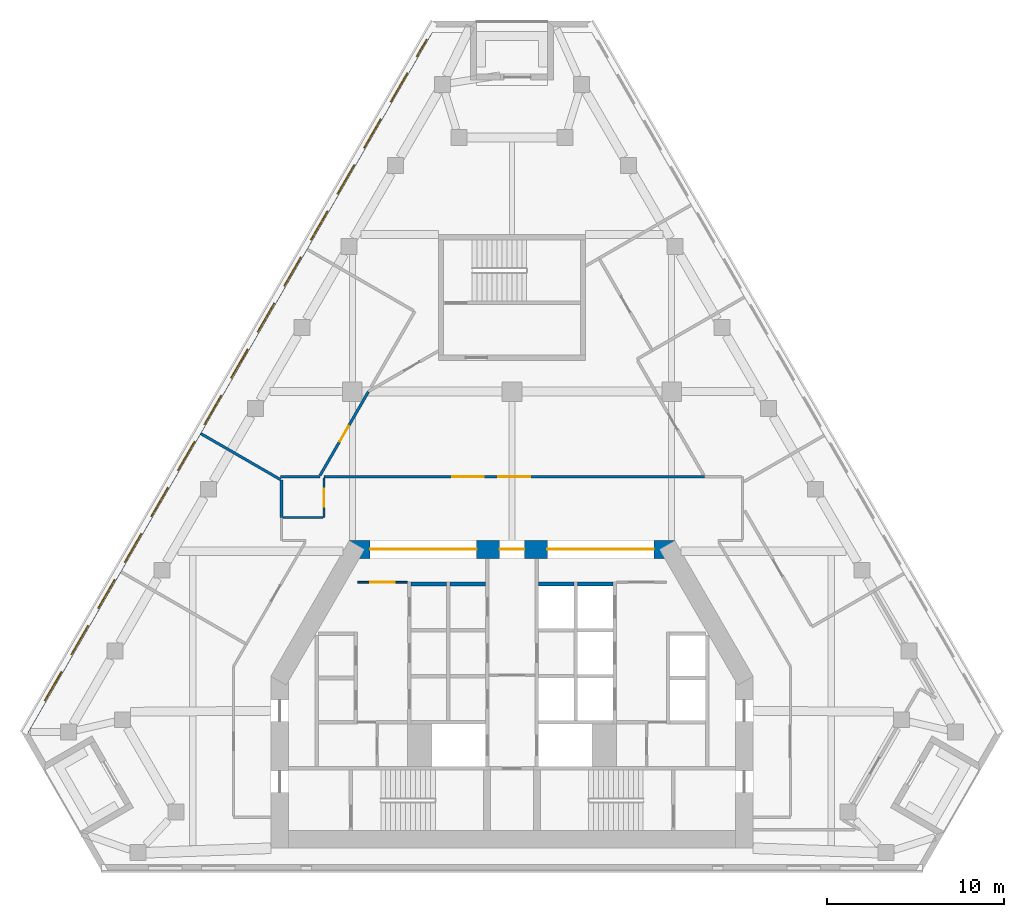
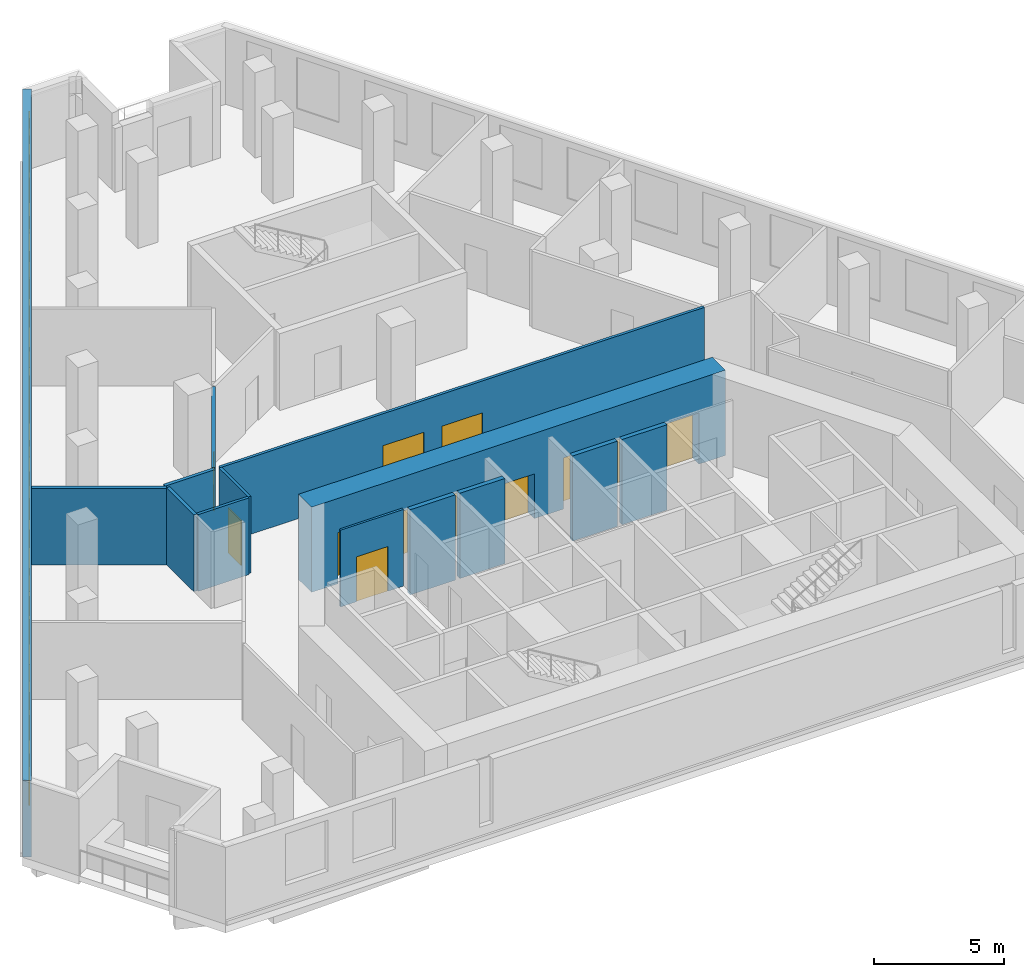
# One storey, part 5 of 9: 15 windows, 14 walls, 8 doors, 23 openings.
"""IFC4 building model written with IfcOpenShell, lengths in metres."""

from ifc_helpers import new_model, si_unit, direction, frame, frame_2d, origin, place, context, subcontext, project, spatial, rectangle, extrude, material, layer, layer_set, type_object, element, fill, save


model = new_model("IFC4")

# Units and contexts
model_context = context("Model", 3, precision=1e-05, world=origin(), true_north=direction((0.0, 1.0)))
body_context = subcontext(model_context, "Body", "Model", "MODEL_VIEW")
ifc_project = project(units=[si_unit("LENGTHUNIT", "METRE"), si_unit("AREAUNIT", "SQUARE_METRE"), si_unit("VOLUMEUNIT", "CUBIC_METRE"), si_unit("PLANEANGLEUNIT", "RADIAN"), si_unit("MASSUNIT", "GRAM", prefix="KILO")], contexts=[model_context])

# Site, building, storey
site_placement = place(None, origin())
site = spatial("IfcSite", under=ifc_project, at=site_placement, CompositionType="ELEMENT")
building_placement = place(site_placement, origin())
building = spatial("IfcBuilding", under=site, at=building_placement, Name="Fogline Exchange Tower", CompositionType="ELEMENT")
storey_placement = place(building_placement, frame((0.0, 0.0, 202.10009765625)))
storey = spatial("IfcBuildingStorey", under=building, at=storey_placement, Name="L45", CompositionType="ELEMENT", Elevation=202.10009765625)

# Wall, opening, door
ifc_material_1 = material(Name="Blockwork partition", Category="masonry")
ifc_layer_1 = layer(ifc_material_1, 0.10009765625)
ifc_layer_set_1 = layer_set([ifc_layer_1], Name="CW10")
wall_type_1 = type_object("IfcWallType", Name="CW10", PredefinedType="PARTITIONING", material=ifc_layer_set_1)
wall_1_placement = place(storey_placement, frame((-8.699951171875, 16.25, 0.0), z_axis=(0.0, 0.0, 1.0), x_axis=(1.0, 0.0, 0.0)))
wall_1 = element("IfcWall", 1, at=wall_1_placement, inside=storey, type_object=wall_type_1, Name="Lift lobby partition", PredefinedType="PARTITIONING", context=body_context, shape_type="SweptSolid", body=[
    extrude(rectangle(XDim=2.800048828125, YDim=0.10009765625, at=frame_2d((1.39990234375, 0.0))), origin(), (0.0, 0.0, 1.0), 3.599853515625),
])
opening_1_placement = place(wall_1_placement, frame((0.699951171875, 0.0, 0.0)))
opening_1 = element("IfcOpeningElement", 2, at=opening_1_placement, cuts=wall_1, Name="Opening T14-C011", PredefinedType="OPENING", context=body_context, shape_type="SweptSolid", body=[
    extrude(rectangle(XDim=1.39990234375, YDim=2.10009765625, at=frame_2d((0.699951171875, 1.050048828125))), frame((0.0, 0.06005859375, 0.0), z_axis=(0.0, -1.0, 0.0), x_axis=(1.0, 0.0, 0.0)), (0.0, 0.0, 1.0), 0.1201171875),
])
ifc_material_2 = material(Name="Steel and timber fire door", Category="steel")
door_type_1 = type_object("IfcDoorType", Name="D-LB1", OperationType="DOUBLE_DOOR_SINGLE_SWING", PredefinedType="DOOR", material=ifc_material_2)
door_1_placement = place(opening_1_placement, origin())
door_1 = element("IfcDoor", 3, at=door_1_placement, inside=storey, type_object=door_type_1, Name="Door to lift lobby", OperationType="DOUBLE_DOOR_SINGLE_SWING", OverallHeight=2.10009765625, OverallWidth=1.39990234375, PredefinedType="DOOR", context=body_context, shape_type="SweptSolid", body=[
    extrude(rectangle(XDim=1.39990234375, YDim=2.10009765625, at=frame_2d((0.699951171875, 1.050048828125))), frame((0.0, 0.02490234375, 0.0), z_axis=(0.0, -1.0, 0.0), x_axis=(1.0, 0.0, 0.0)), (0.0, 0.0, 1.0), 0.050048828125),
])
fill(opening_1, door_1)

# Walls
ifc_material_3 = material(Name="Concrete C40", Category="concrete")
ifc_layer_2 = layer(ifc_material_3, 0.199951171875)
ifc_layer_set_2 = layer_set([ifc_layer_2], Name="CW20S")
wall_type_2 = type_object("IfcWallType", Name="CW20S", PredefinedType="SOLIDWALL", material=ifc_layer_set_2)
for number, where, z_axis, x_axis, name in (
    (4, (-5.699951171875, 16.14990234375, -0.400146484375), (0.0, 0.0, 1.0), (1.0, 0.0, 0.0), "Lift shaft wall"),
    (5, (-3.5, 16.14990234375, -0.400146484375), (0.0, 0.0, 1.0), (1.0, 0.0, 0.0), "Lift shaft wall"),
    (6, (3.699951171875, 16.14990234375, -0.400146484375), (0.0, 0.0, 1.0), (1.0, 0.0, 0.0), "Lift shaft wall"),
    (7, (1.5, 16.14990234375, -0.400146484375), (0.0, 0.0, 1.0), (1.0, 0.0, 0.0), "Lift shaft wall"),
):
    element("IfcWall", number, at=place(storey_placement, frame(where, z_axis=z_axis, x_axis=x_axis)), inside=storey, type_object=wall_type_2, Name=name, PredefinedType="SOLIDWALL", context=body_context, shape_type="SweptSolid", body=[
        extrude(rectangle(XDim=2.0, YDim=0.199951171875, at=frame_2d((1.0, 0.0))), origin(), (0.0, 0.0, 1.0), 4.0),
    ])

# Wall, openings, windows
ifc_material_4 = material(Name="Brick masonry", Category="masonry")
ifc_layer_3 = layer(ifc_material_4, 0.340087890625)
ifc_layer_set_3 = layer_set([ifc_layer_3], Name="FW1")
wall_type_3 = type_object("IfcWallType", Name="FW1", PredefinedType="SOLIDWALL", material=ifc_layer_set_3)
wall_2_placement = place(storey_placement, frame((-4.352783203125, 47.821533203125, 0.0), z_axis=(0.0, 0.0, 1.0), x_axis=(-0.500001386688, -0.866024603178, 0.0)))
wall_2 = element("IfcWall", 8, at=wall_2_placement, inside=storey, type_object=wall_type_3, Name="Brick wall L45 W", PredefinedType="SOLIDWALL", context=body_context, shape_type="SweptSolid", body=[
    extrude(rectangle(XDim=46.317626953125, YDim=0.340087890625, at=frame_2d((23.15869140625, 0.0))), origin(), (0.0, 0.0, 1.0), 3.599853515625),
])
opening_2_placement = place(wall_2_placement, frame((3.23828125, 0.0, 0.89990234375)))
opening_2 = element("IfcOpeningElement", 9, at=opening_2_placement, cuts=wall_2, Name="Opening W1", PredefinedType="OPENING", context=body_context, shape_type="SweptSolid", body=[
    extrude(rectangle(XDim=1.885009765625, YDim=2.39990234375, at=frame_2d((0.9423828125, 1.199951171875))), frame((0.0, 0.18017578125, 0.0), z_axis=(0.0, -1.0, 0.0), x_axis=(1.0, 0.0, 0.0)), (0.0, 0.0, 1.0), 0.360107421875),
])
opening_3_placement = place(wall_2_placement, frame((6.23828125, 0.0, 0.89990234375)))
opening_3 = element("IfcOpeningElement", 10, at=opening_3_placement, cuts=wall_2, Name="Opening W1", PredefinedType="OPENING", context=body_context, shape_type="SweptSolid", body=[
    extrude(rectangle(XDim=1.885009765625, YDim=2.39990234375, at=frame_2d((0.9423828125, 1.199951171875))), frame((0.0, 0.18017578125, 0.0), z_axis=(0.0, -1.0, 0.0), x_axis=(1.0, 0.0, 0.0)), (0.0, 0.0, 1.0), 0.360107421875),
])
opening_4_placement = place(wall_2_placement, frame((9.23828125, 0.0, 0.89990234375)))
opening_4 = element("IfcOpeningElement", 11, at=opening_4_placement, cuts=wall_2, Name="Opening W1", PredefinedType="OPENING", context=body_context, shape_type="SweptSolid", body=[
    extrude(rectangle(XDim=1.885009765625, YDim=2.39990234375, at=frame_2d((0.9423828125, 1.199951171875))), frame((0.0, 0.18017578125, 0.0), z_axis=(0.0, -1.0, 0.0), x_axis=(1.0, 0.0, 0.0)), (0.0, 0.0, 1.0), 0.360107421875),
])
opening_5_placement = place(wall_2_placement, frame((12.23828125, 0.0, 0.89990234375)))
opening_5 = element("IfcOpeningElement", 12, at=opening_5_placement, cuts=wall_2, Name="Opening W1", PredefinedType="OPENING", context=body_context, shape_type="SweptSolid", body=[
    extrude(rectangle(XDim=1.885009765625, YDim=2.39990234375, at=frame_2d((0.9423828125, 1.199951171875))), frame((0.0, 0.18017578125, 0.0), z_axis=(0.0, -1.0, 0.0), x_axis=(1.0, 0.0, 0.0)), (0.0, 0.0, 1.0), 0.360107421875),
])
opening_6_placement = place(wall_2_placement, frame((15.23828125, 0.0, 0.89990234375)))
opening_6 = element("IfcOpeningElement", 13, at=opening_6_placement, cuts=wall_2, Name="Opening W1", PredefinedType="OPENING", context=body_context, shape_type="SweptSolid", body=[
    extrude(rectangle(XDim=1.885009765625, YDim=2.39990234375, at=frame_2d((0.9423828125, 1.199951171875))), frame((0.0, 0.18017578125, 0.0), z_axis=(0.0, -1.0, 0.0), x_axis=(1.0, 0.0, 0.0)), (0.0, 0.0, 1.0), 0.360107421875),
])
opening_7_placement = place(wall_2_placement, frame((18.23828125, 0.0, 0.89990234375)))
opening_7 = element("IfcOpeningElement", 14, at=opening_7_placement, cuts=wall_2, Name="Opening W1", PredefinedType="OPENING", context=body_context, shape_type="SweptSolid", body=[
    extrude(rectangle(XDim=1.885009765625, YDim=2.39990234375, at=frame_2d((0.9423828125, 1.199951171875))), frame((0.0, 0.18017578125, 0.0), z_axis=(0.0, -1.0, 0.0), x_axis=(1.0, 0.0, 0.0)), (0.0, 0.0, 1.0), 0.360107421875),
])
opening_8_placement = place(wall_2_placement, frame((21.23828125, 0.0, 0.89990234375)))
opening_8 = element("IfcOpeningElement", 15, at=opening_8_placement, cuts=wall_2, Name="Opening W1", PredefinedType="OPENING", context=body_context, shape_type="SweptSolid", body=[
    extrude(rectangle(XDim=1.885009765625, YDim=2.39990234375, at=frame_2d((0.9423828125, 1.199951171875))), frame((0.0, 0.18017578125, 0.0), z_axis=(0.0, -1.0, 0.0), x_axis=(1.0, 0.0, 0.0)), (0.0, 0.0, 1.0), 0.360107421875),
])
opening_9_placement = place(wall_2_placement, frame((24.23828125, 0.0, 0.89990234375)))
opening_9 = element("IfcOpeningElement", 16, at=opening_9_placement, cuts=wall_2, Name="Opening W1", PredefinedType="OPENING", context=body_context, shape_type="SweptSolid", body=[
    extrude(rectangle(XDim=1.885009765625, YDim=2.39990234375, at=frame_2d((0.9423828125, 1.199951171875))), frame((0.0, 0.18017578125, 0.0), z_axis=(0.0, -1.0, 0.0), x_axis=(1.0, 0.0, 0.0)), (0.0, 0.0, 1.0), 0.360107421875),
])
opening_10_placement = place(wall_2_placement, frame((27.23828125, 0.0, 0.89990234375)))
opening_10 = element("IfcOpeningElement", 17, at=opening_10_placement, cuts=wall_2, Name="Opening W1", PredefinedType="OPENING", context=body_context, shape_type="SweptSolid", body=[
    extrude(rectangle(XDim=1.885009765625, YDim=2.39990234375, at=frame_2d((0.9423828125, 1.199951171875))), frame((0.0, 0.18017578125, 0.0), z_axis=(0.0, -1.0, 0.0), x_axis=(1.0, 0.0, 0.0)), (0.0, 0.0, 1.0), 0.360107421875),
])
opening_11_placement = place(wall_2_placement, frame((30.23828125, 0.0, 0.89990234375)))
opening_11 = element("IfcOpeningElement", 18, at=opening_11_placement, cuts=wall_2, Name="Opening W1", PredefinedType="OPENING", context=body_context, shape_type="SweptSolid", body=[
    extrude(rectangle(XDim=1.885009765625, YDim=2.39990234375, at=frame_2d((0.9423828125, 1.199951171875))), frame((0.0, 0.18017578125, 0.0), z_axis=(0.0, -1.0, 0.0), x_axis=(1.0, 0.0, 0.0)), (0.0, 0.0, 1.0), 0.360107421875),
])
opening_12_placement = place(wall_2_placement, frame((33.23828125, 0.0, 0.89990234375)))
opening_12 = element("IfcOpeningElement", 19, at=opening_12_placement, cuts=wall_2, Name="Opening W1", PredefinedType="OPENING", context=body_context, shape_type="SweptSolid", body=[
    extrude(rectangle(XDim=1.885009765625, YDim=2.39990234375, at=frame_2d((0.9423828125, 1.199951171875))), frame((0.0, 0.18017578125, 0.0), z_axis=(0.0, -1.0, 0.0), x_axis=(1.0, 0.0, 0.0)), (0.0, 0.0, 1.0), 0.360107421875),
])
opening_13_placement = place(wall_2_placement, frame((36.23828125, 0.0, 0.89990234375)))
opening_13 = element("IfcOpeningElement", 20, at=opening_13_placement, cuts=wall_2, Name="Opening W1", PredefinedType="OPENING", context=body_context, shape_type="SweptSolid", body=[
    extrude(rectangle(XDim=1.885009765625, YDim=2.39990234375, at=frame_2d((0.9423828125, 1.199951171875))), frame((0.0, 0.18017578125, 0.0), z_axis=(0.0, -1.0, 0.0), x_axis=(1.0, 0.0, 0.0)), (0.0, 0.0, 1.0), 0.360107421875),
])
opening_14_placement = place(wall_2_placement, frame((39.23828125, 0.0, 0.89990234375)))
opening_14 = element("IfcOpeningElement", 21, at=opening_14_placement, cuts=wall_2, Name="Opening W1", PredefinedType="OPENING", context=body_context, shape_type="SweptSolid", body=[
    extrude(rectangle(XDim=1.885009765625, YDim=2.39990234375, at=frame_2d((0.9423828125, 1.199951171875))), frame((0.0, 0.18017578125, 0.0), z_axis=(0.0, -1.0, 0.0), x_axis=(1.0, 0.0, 0.0)), (0.0, 0.0, 1.0), 0.360107421875),
])
opening_15_placement = place(wall_2_placement, frame((42.23828125, 0.0, 0.89990234375)))
opening_15 = element("IfcOpeningElement", 22, at=opening_15_placement, cuts=wall_2, Name="Opening W1", PredefinedType="OPENING", context=body_context, shape_type="SweptSolid", body=[
    extrude(rectangle(XDim=1.885009765625, YDim=2.39990234375, at=frame_2d((0.9423828125, 1.199951171875))), frame((0.0, 0.18017578125, 0.0), z_axis=(0.0, -1.0, 0.0), x_axis=(1.0, 0.0, 0.0)), (0.0, 0.0, 1.0), 0.360107421875),
])
opening_16_placement = place(wall_2_placement, frame((1.061767578125, 0.0, 0.89990234375)))
opening_16 = element("IfcOpeningElement", 23, at=opening_16_placement, cuts=wall_2, Name="Opening W4", PredefinedType="OPENING", context=body_context, shape_type="SweptSolid", body=[
    extrude(rectangle(XDim=1.114990234375, YDim=2.39990234375, at=frame_2d((0.5576171875, 1.199951171875))), frame((0.0, 0.18017578125, 0.0), z_axis=(0.0, -1.0, 0.0), x_axis=(1.0, 0.0, 0.0)), (0.0, 0.0, 1.0), 0.360107421875),
])
ifc_material_5 = material(Name="Aluminium and glass", Category="aluminium")
window_type_1 = type_object("IfcWindowType", Name="W1", PartitioningType="SINGLE_PANEL", PredefinedType="WINDOW", material=ifc_material_5)
window_1_placement = place(opening_2_placement, origin())
window_1 = element("IfcWindow", 24, at=window_1_placement, inside=storey, type_object=window_type_1, Name="W1 W1", OverallHeight=2.39990234375, OverallWidth=1.885009765625, PartitioningType="SINGLE_PANEL", PredefinedType="WINDOW", context=body_context, shape_type="SweptSolid", body=[
    extrude(rectangle(XDim=1.885009765625, YDim=2.39990234375, at=frame_2d((0.9423828125, 1.199951171875))), frame((0.0, 0.110107421875, 0.0), z_axis=(0.0, -1.0, 0.0), x_axis=(1.0, 0.0, 0.0)), (0.0, 0.0, 1.0), 0.06005859375),
])
fill(opening_2, window_1)
window_2_placement = place(opening_3_placement, origin())
window_2 = element("IfcWindow", 25, at=window_2_placement, inside=storey, type_object=window_type_1, Name="W1 W1", OverallHeight=2.39990234375, OverallWidth=1.885009765625, PartitioningType="SINGLE_PANEL", PredefinedType="WINDOW", context=body_context, shape_type="SweptSolid", body=[
    extrude(rectangle(XDim=1.885009765625, YDim=2.39990234375, at=frame_2d((0.9423828125, 1.199951171875))), frame((0.0, 0.110107421875, 0.0), z_axis=(0.0, -1.0, 0.0), x_axis=(1.0, 0.0, 0.0)), (0.0, 0.0, 1.0), 0.06005859375),
])
fill(opening_3, window_2)
window_3_placement = place(opening_4_placement, origin())
window_3 = element("IfcWindow", 26, at=window_3_placement, inside=storey, type_object=window_type_1, Name="W1 W1", OverallHeight=2.39990234375, OverallWidth=1.885009765625, PartitioningType="SINGLE_PANEL", PredefinedType="WINDOW", context=body_context, shape_type="SweptSolid", body=[
    extrude(rectangle(XDim=1.885009765625, YDim=2.39990234375, at=frame_2d((0.9423828125, 1.199951171875))), frame((0.0, 0.110107421875, 0.0), z_axis=(0.0, -1.0, 0.0), x_axis=(1.0, 0.0, 0.0)), (0.0, 0.0, 1.0), 0.06005859375),
])
fill(opening_4, window_3)
window_4_placement = place(opening_5_placement, origin())
window_4 = element("IfcWindow", 27, at=window_4_placement, inside=storey, type_object=window_type_1, Name="W1 W1", OverallHeight=2.39990234375, OverallWidth=1.885009765625, PartitioningType="SINGLE_PANEL", PredefinedType="WINDOW", context=body_context, shape_type="SweptSolid", body=[
    extrude(rectangle(XDim=1.885009765625, YDim=2.39990234375, at=frame_2d((0.9423828125, 1.199951171875))), frame((0.0, 0.110107421875, 0.0), z_axis=(0.0, -1.0, 0.0), x_axis=(1.0, 0.0, 0.0)), (0.0, 0.0, 1.0), 0.06005859375),
])
fill(opening_5, window_4)
window_5_placement = place(opening_6_placement, origin())
window_5 = element("IfcWindow", 28, at=window_5_placement, inside=storey, type_object=window_type_1, Name="W1 W1", OverallHeight=2.39990234375, OverallWidth=1.885009765625, PartitioningType="SINGLE_PANEL", PredefinedType="WINDOW", context=body_context, shape_type="SweptSolid", body=[
    extrude(rectangle(XDim=1.885009765625, YDim=2.39990234375, at=frame_2d((0.9423828125, 1.199951171875))), frame((0.0, 0.110107421875, 0.0), z_axis=(0.0, -1.0, 0.0), x_axis=(1.0, 0.0, 0.0)), (0.0, 0.0, 1.0), 0.06005859375),
])
fill(opening_6, window_5)
window_6_placement = place(opening_7_placement, origin())
window_6 = element("IfcWindow", 29, at=window_6_placement, inside=storey, type_object=window_type_1, Name="W1 W1", OverallHeight=2.39990234375, OverallWidth=1.885009765625, PartitioningType="SINGLE_PANEL", PredefinedType="WINDOW", context=body_context, shape_type="SweptSolid", body=[
    extrude(rectangle(XDim=1.885009765625, YDim=2.39990234375, at=frame_2d((0.9423828125, 1.199951171875))), frame((0.0, 0.110107421875, 0.0), z_axis=(0.0, -1.0, 0.0), x_axis=(1.0, 0.0, 0.0)), (0.0, 0.0, 1.0), 0.06005859375),
])
fill(opening_7, window_6)
window_7_placement = place(opening_8_placement, origin())
window_7 = element("IfcWindow", 30, at=window_7_placement, inside=storey, type_object=window_type_1, Name="W1 W1", OverallHeight=2.39990234375, OverallWidth=1.885009765625, PartitioningType="SINGLE_PANEL", PredefinedType="WINDOW", context=body_context, shape_type="SweptSolid", body=[
    extrude(rectangle(XDim=1.885009765625, YDim=2.39990234375, at=frame_2d((0.9423828125, 1.199951171875))), frame((0.0, 0.110107421875, 0.0), z_axis=(0.0, -1.0, 0.0), x_axis=(1.0, 0.0, 0.0)), (0.0, 0.0, 1.0), 0.06005859375),
])
fill(opening_8, window_7)
window_8_placement = place(opening_9_placement, origin())
window_8 = element("IfcWindow", 31, at=window_8_placement, inside=storey, type_object=window_type_1, Name="W1 W1", OverallHeight=2.39990234375, OverallWidth=1.885009765625, PartitioningType="SINGLE_PANEL", PredefinedType="WINDOW", context=body_context, shape_type="SweptSolid", body=[
    extrude(rectangle(XDim=1.885009765625, YDim=2.39990234375, at=frame_2d((0.9423828125, 1.199951171875))), frame((0.0, 0.110107421875, 0.0), z_axis=(0.0, -1.0, 0.0), x_axis=(1.0, 0.0, 0.0)), (0.0, 0.0, 1.0), 0.06005859375),
])
fill(opening_9, window_8)
window_9_placement = place(opening_10_placement, origin())
window_9 = element("IfcWindow", 32, at=window_9_placement, inside=storey, type_object=window_type_1, Name="W1 W1", OverallHeight=2.39990234375, OverallWidth=1.885009765625, PartitioningType="SINGLE_PANEL", PredefinedType="WINDOW", context=body_context, shape_type="SweptSolid", body=[
    extrude(rectangle(XDim=1.885009765625, YDim=2.39990234375, at=frame_2d((0.9423828125, 1.199951171875))), frame((0.0, 0.110107421875, 0.0), z_axis=(0.0, -1.0, 0.0), x_axis=(1.0, 0.0, 0.0)), (0.0, 0.0, 1.0), 0.06005859375),
])
fill(opening_10, window_9)
window_10_placement = place(opening_11_placement, origin())
window_10 = element("IfcWindow", 33, at=window_10_placement, inside=storey, type_object=window_type_1, Name="W1 W1", OverallHeight=2.39990234375, OverallWidth=1.885009765625, PartitioningType="SINGLE_PANEL", PredefinedType="WINDOW", context=body_context, shape_type="SweptSolid", body=[
    extrude(rectangle(XDim=1.885009765625, YDim=2.39990234375, at=frame_2d((0.9423828125, 1.199951171875))), frame((0.0, 0.110107421875, 0.0), z_axis=(0.0, -1.0, 0.0), x_axis=(1.0, 0.0, 0.0)), (0.0, 0.0, 1.0), 0.06005859375),
])
fill(opening_11, window_10)
window_11_placement = place(opening_12_placement, origin())
window_11 = element("IfcWindow", 34, at=window_11_placement, inside=storey, type_object=window_type_1, Name="W1 W1", OverallHeight=2.39990234375, OverallWidth=1.885009765625, PartitioningType="SINGLE_PANEL", PredefinedType="WINDOW", context=body_context, shape_type="SweptSolid", body=[
    extrude(rectangle(XDim=1.885009765625, YDim=2.39990234375, at=frame_2d((0.9423828125, 1.199951171875))), frame((0.0, 0.110107421875, 0.0), z_axis=(0.0, -1.0, 0.0), x_axis=(1.0, 0.0, 0.0)), (0.0, 0.0, 1.0), 0.06005859375),
])
fill(opening_12, window_11)
window_12_placement = place(opening_13_placement, origin())
window_12 = element("IfcWindow", 35, at=window_12_placement, inside=storey, type_object=window_type_1, Name="W1 W1", OverallHeight=2.39990234375, OverallWidth=1.885009765625, PartitioningType="SINGLE_PANEL", PredefinedType="WINDOW", context=body_context, shape_type="SweptSolid", body=[
    extrude(rectangle(XDim=1.885009765625, YDim=2.39990234375, at=frame_2d((0.9423828125, 1.199951171875))), frame((0.0, 0.110107421875, 0.0), z_axis=(0.0, -1.0, 0.0), x_axis=(1.0, 0.0, 0.0)), (0.0, 0.0, 1.0), 0.06005859375),
])
fill(opening_13, window_12)
window_13_placement = place(opening_14_placement, origin())
window_13 = element("IfcWindow", 36, at=window_13_placement, inside=storey, type_object=window_type_1, Name="W1 W1", OverallHeight=2.39990234375, OverallWidth=1.885009765625, PartitioningType="SINGLE_PANEL", PredefinedType="WINDOW", context=body_context, shape_type="SweptSolid", body=[
    extrude(rectangle(XDim=1.885009765625, YDim=2.39990234375, at=frame_2d((0.9423828125, 1.199951171875))), frame((0.0, 0.110107421875, 0.0), z_axis=(0.0, -1.0, 0.0), x_axis=(1.0, 0.0, 0.0)), (0.0, 0.0, 1.0), 0.06005859375),
])
fill(opening_14, window_13)
window_14_placement = place(opening_15_placement, origin())
window_14 = element("IfcWindow", 37, at=window_14_placement, inside=storey, type_object=window_type_1, Name="W1 W1", OverallHeight=2.39990234375, OverallWidth=1.885009765625, PartitioningType="SINGLE_PANEL", PredefinedType="WINDOW", context=body_context, shape_type="SweptSolid", body=[
    extrude(rectangle(XDim=1.885009765625, YDim=2.39990234375, at=frame_2d((0.9423828125, 1.199951171875))), frame((0.0, 0.110107421875, 0.0), z_axis=(0.0, -1.0, 0.0), x_axis=(1.0, 0.0, 0.0)), (0.0, 0.0, 1.0), 0.06005859375),
])
fill(opening_15, window_14)
window_type_2 = type_object("IfcWindowType", Name="W4", PartitioningType="SINGLE_PANEL", PredefinedType="WINDOW", material=ifc_material_5)
window_15_placement = place(opening_16_placement, origin())
window_15 = element("IfcWindow", 38, at=window_15_placement, inside=storey, type_object=window_type_2, Name="W4 W4", OverallHeight=2.39990234375, OverallWidth=1.114990234375, PartitioningType="SINGLE_PANEL", PredefinedType="WINDOW", context=body_context, shape_type="SweptSolid", body=[
    extrude(rectangle(XDim=1.114990234375, YDim=2.39990234375, at=frame_2d((0.5576171875, 1.199951171875))), frame((0.0, 0.110107421875, 0.0), z_axis=(0.0, -1.0, 0.0), x_axis=(1.0, 0.0, 0.0)), (0.0, 0.0, 1.0), 0.06005859375),
])
fill(opening_16, window_15)

# Wall, openings, doors
ifc_material_6 = material(Name="Plasterboard corridor partition with mineral wool, 2 layers each side")
ifc_layer_4 = layer(ifc_material_6, 0.125)
ifc_layer_set_4 = layer_set([ifc_layer_4], Name="PW2")
wall_type_4 = type_object("IfcWallType", Name="PW2", PredefinedType="PARTITIONING", material=ifc_layer_set_4)
wall_3_placement = place(storey_placement, frame((-10.60009765625, 22.199951171875, 0.0), z_axis=(0.0, 0.0, 1.0), x_axis=(1.0, 0.0, 0.0)))
wall_3 = element("IfcWall", 39, at=wall_3_placement, inside=storey, type_object=wall_type_4, Name="wall-L45-W007", PredefinedType="PARTITIONING", context=body_context, shape_type="SweptSolid", body=[
    extrude(rectangle(XDim=21.46630859375, YDim=0.125, at=frame_2d((10.733154296875, 0.0))), origin(), (0.0, 0.0, 1.0), 3.599853515625),
])
opening_17_placement = place(wall_3_placement, frame((7.219482421875, 0.0, 0.0)))
opening_17 = element("IfcOpeningElement", 40, at=opening_17_placement, cuts=wall_3, Name="Opening T14-D002", PredefinedType="OPENING", context=body_context, shape_type="SweptSolid", body=[
    extrude(rectangle(XDim=1.800048828125, YDim=2.10009765625, at=frame_2d((0.89990234375, 1.050048828125))), frame((0.0, 0.072509765625, 0.0), z_axis=(0.0, -1.0, 0.0), x_axis=(1.0, 0.0, 0.0)), (0.0, 0.0, 1.0), 0.14501953125),
])
opening_18_placement = place(wall_3_placement, frame((9.8330078125, 0.0, 0.0)))
opening_18 = element("IfcOpeningElement", 41, at=opening_18_placement, cuts=wall_3, Name="Opening T14-D003", PredefinedType="OPENING", context=body_context, shape_type="SweptSolid", body=[
    extrude(rectangle(XDim=1.800048828125, YDim=2.10009765625, at=frame_2d((0.89990234375, 1.050048828125))), frame((0.0, 0.072509765625, 0.0), z_axis=(0.0, -1.0, 0.0), x_axis=(1.0, 0.0, 0.0)), (0.0, 0.0, 1.0), 0.14501953125),
])
ifc_material_7 = material(Name="Fire-rated timber door leaves with steel frame", Category="steel")
door_type_2 = type_object("IfcDoorType", Name="D4", OperationType="DOUBLE_DOOR_SINGLE_SWING", PredefinedType="DOOR", material=ifc_material_7)
door_2_placement = place(opening_17_placement, frame((1.800048828125, 0.0, 0.0), z_axis=(0.0, 0.0, 1.0), x_axis=(-1.0, 0.0, 0.0)))
door_2 = element("IfcDoor", 42, at=door_2_placement, inside=storey, type_object=door_type_2, Name="door-L45-D002", OperationType="DOUBLE_DOOR_SINGLE_SWING", OverallHeight=2.10009765625, OverallWidth=1.800048828125, PredefinedType="DOOR", context=body_context, shape_type="SweptSolid", body=[
    extrude(rectangle(XDim=1.800048828125, YDim=2.10009765625, at=frame_2d((0.89990234375, 1.050048828125))), frame((0.0, 0.02490234375, 0.0), z_axis=(0.0, -1.0, 0.0), x_axis=(1.0, 0.0, 0.0)), (0.0, 0.0, 1.0), 0.050048828125),
])
fill(opening_17, door_2)
door_3_placement = place(opening_18_placement, frame((1.800048828125, 0.0, 0.0), z_axis=(0.0, 0.0, 1.0), x_axis=(-1.0, 0.0, 0.0)))
door_3 = element("IfcDoor", 43, at=door_3_placement, inside=storey, type_object=door_type_2, Name="door-L45-D003", OperationType="DOUBLE_DOOR_SINGLE_SWING", OverallHeight=2.10009765625, OverallWidth=1.800048828125, PredefinedType="DOOR", context=body_context, shape_type="SweptSolid", body=[
    extrude(rectangle(XDim=1.800048828125, YDim=2.10009765625, at=frame_2d((0.89990234375, 1.050048828125))), frame((0.0, 0.02490234375, 0.0), z_axis=(0.0, -1.0, 0.0), x_axis=(1.0, 0.0, 0.0)), (0.0, 0.0, 1.0), 0.050048828125),
])
fill(opening_18, door_3)

# Wall
wall_4_placement = place(storey_placement, frame((-12.925048828125, 19.89990234375, 0.0), z_axis=(0.0, 0.0, 1.0), x_axis=(1.0, 0.0, 0.0)))
element("IfcWall", 44, at=wall_4_placement, inside=storey, type_object=wall_type_4, Name="wall-L45-W008", PredefinedType="PARTITIONING", context=body_context, shape_type="SweptSolid", body=[
    extrude(rectangle(XDim=2.262451171875, YDim=0.125, at=frame_2d((1.13134765625, 0.0))), origin(), (0.0, 0.0, 1.0), 3.599853515625),
])

# Wall, opening, door
wall_5_placement = place(storey_placement, frame((-10.60009765625, 19.89990234375, 0.0), z_axis=(0.0, 0.0, 1.0), x_axis=(0.0, 1.0, 0.0)))
wall_5 = element("IfcWall", 45, at=wall_5_placement, inside=storey, type_object=wall_type_4, Name="wall-L45-W009", PredefinedType="PARTITIONING", context=body_context, shape_type="SweptSolid", body=[
    extrude(rectangle(XDim=2.237060546875, YDim=0.125, at=frame_2d((1.11865234375, 0.0))), origin(), (0.0, 0.0, 1.0), 3.599853515625),
])
opening_19_placement = place(wall_5_placement, frame((0.618408203125, 0.0, 0.0)))
opening_19 = element("IfcOpeningElement", 46, at=opening_19_placement, cuts=wall_5, Name="Opening T14-D004", PredefinedType="OPENING", context=body_context, shape_type="SweptSolid", body=[
    extrude(rectangle(XDim=1.0, YDim=2.10009765625, at=frame_2d((0.5, 1.050048828125))), frame((0.0, 0.072509765625, 0.0), z_axis=(0.0, -1.0, 0.0), x_axis=(1.0, 0.0, 0.0)), (0.0, 0.0, 1.0), 0.14501953125),
])
ifc_material_8 = material(Name="Fire-rated timber door leaf with steel frame", Category="steel")
door_type_3 = type_object("IfcDoorType", Name="D3", OperationType="SINGLE_SWING_LEFT", PredefinedType="DOOR", material=ifc_material_8)
door_4_placement = place(opening_19_placement, origin())
door_4 = element("IfcDoor", 47, at=door_4_placement, inside=storey, type_object=door_type_3, Name="door-L45-D004", OperationType="SINGLE_SWING_LEFT", OverallHeight=2.10009765625, OverallWidth=1.0, PredefinedType="DOOR", context=body_context, shape_type="SweptSolid", body=[
    extrude(rectangle(XDim=1.0, YDim=2.10009765625, at=frame_2d((0.5, 1.050048828125))), frame((0.0, 0.02490234375, 0.0), z_axis=(0.0, -1.0, 0.0), x_axis=(1.0, 0.0, 0.0)), (0.0, 0.0, 1.0), 0.050048828125),
])
fill(opening_19, door_4)

ifc_material_9 = material(Name="Plasterboard demising partition with mineral wool and acoustic board")
ifc_layer_5 = layer(ifc_material_9, 0.14990234375)
ifc_layer_set_5 = layer_set([ifc_layer_5], Name="PW3")
wall_type_5 = type_object("IfcWallType", Name="PW3", PredefinedType="PARTITIONING", material=ifc_layer_set_5)
wall_6_placement = place(storey_placement, frame((-10.822998046875, 22.27490234375, 0.0), z_axis=(0.0, 0.0, 1.0), x_axis=(0.500003308737, 0.866023493476, 0.0)))
wall_6 = element("IfcWall", 48, at=wall_6_placement, inside=storey, type_object=wall_type_5, Name="wall-L45-W029", PredefinedType="PARTITIONING", context=body_context, shape_type="SweptSolid", body=[
    extrude(rectangle(XDim=5.44287109375, YDim=0.14990234375, at=frame_2d((2.721435546875, 0.0))), origin(), (0.0, 0.0, 1.0), 3.599853515625),
])
opening_20_placement = place(wall_6_placement, frame((2.22119140625, 0.0, 0.0)))
opening_20 = element("IfcOpeningElement", 49, at=opening_20_placement, cuts=wall_6, Name="Opening T14-D011", PredefinedType="OPENING", context=body_context, shape_type="SweptSolid", body=[
    extrude(rectangle(XDim=1.0, YDim=2.10009765625, at=frame_2d((0.5, 1.050048828125))), frame((0.0, 0.0849609375, 0.0), z_axis=(0.0, -1.0, 0.0), x_axis=(1.0, 0.0, 0.0)), (0.0, 0.0, 1.0), 0.169921875),
])
door_5_placement = place(opening_20_placement, origin())
door_5 = element("IfcDoor", 50, at=door_5_placement, inside=storey, type_object=door_type_3, Name="door-L45-D011", OperationType="SINGLE_SWING_LEFT", OverallHeight=2.10009765625, OverallWidth=1.0, PredefinedType="DOOR", context=body_context, shape_type="SweptSolid", body=[
    extrude(rectangle(XDim=1.0, YDim=2.10009765625, at=frame_2d((0.5, 1.050048828125))), frame((0.0, 0.02490234375, 0.0), z_axis=(0.0, -1.0, 0.0), x_axis=(1.0, 0.0, 0.0)), (0.0, 0.0, 1.0), 0.050048828125),
])
fill(opening_20, door_5)

# Walls
wall_7_placement = place(storey_placement, frame((-10.822265625, 22.199951171875, 0.0), z_axis=(0.0, 0.0, 1.0), x_axis=(-1.0, 0.0, 0.0)))
element("IfcWall", 51, at=wall_7_placement, inside=storey, type_object=wall_type_5, Name="wall-L45-W032", PredefinedType="PARTITIONING", context=body_context, shape_type="SweptSolid", body=[
    extrude(rectangle(XDim=2.234375, YDim=0.14990234375, at=frame_2d((1.1171875, 0.0))), origin(), (0.0, 0.0, 1.0), 3.599853515625),
])
wall_8_placement = place(storey_placement, frame((-13.055908203125, 22.0380859375, 0.0), z_axis=(0.0, 0.0, 1.0), x_axis=(-0.866026398849, 0.499998276493, 0.0)))
element("IfcWall", 52, at=wall_8_placement, inside=storey, type_object=wall_type_5, Name="wall-L45-W033", PredefinedType="PARTITIONING", context=body_context, shape_type="SweptSolid", body=[
    extrude(rectangle(XDim=5.1845703125, YDim=0.14990234375, at=frame_2d((2.59228515625, 0.0))), origin(), (0.0, 0.0, 1.0), 3.599853515625),
])
wall_9_placement = place(storey_placement, frame((-13.0, 19.89990234375, 0.0), z_axis=(0.0, 0.0, 1.0), x_axis=(0.0, 1.0, 0.0)))
element("IfcWall", 53, at=wall_9_placement, inside=storey, type_object=wall_type_5, Name="wall-L45-W034", PredefinedType="PARTITIONING", context=body_context, shape_type="SweptSolid", body=[
    extrude(rectangle(XDim=2.105712890625, YDim=0.14990234375, at=frame_2d((1.052734375, 0.0))), origin(), (0.0, 0.0, 1.0), 3.599853515625),
])

# Wall, openings, doors
ifc_material_10 = material(Name="Concrete C60", Category="concrete")
ifc_layer_6 = layer(ifc_material_10, 1.0)
ifc_layer_set_6 = layer_set([ifc_layer_6], Name="SW03")
wall_type_6 = type_object("IfcWallType", Name="SW03", PredefinedType="SHEAR", material=ifc_layer_set_6)
wall_10_placement = place(storey_placement, frame((9.1806640625, 18.10009765625, 0.0), z_axis=(0.0, 0.0, 1.0), x_axis=(-1.0, 0.0, 0.0)))
wall_10 = element("IfcWall", 54, at=wall_10_placement, inside=storey, type_object=wall_type_6, Name="L45-W904", PredefinedType="SHEAR", context=body_context, shape_type="SweptSolid", body=[
    extrude(rectangle(XDim=18.361328125, YDim=1.0, at=frame_2d((9.1806640625, 0.0))), origin(), (0.0, 0.0, 1.0), 4.0),
])
opening_21_placement = place(wall_10_placement, frame((8.480712890625, 0.0, 0.0)))
opening_21 = element("IfcOpeningElement", 55, at=opening_21_placement, cuts=wall_10, Name="Opening T14-C024", PredefinedType="OPENING", context=body_context, shape_type="SweptSolid", body=[
    extrude(rectangle(XDim=1.39990234375, YDim=2.10009765625, at=frame_2d((0.699951171875, 1.050048828125))), frame((0.0, 0.510009765625, 0.0), z_axis=(0.0, -1.0, 0.0), x_axis=(1.0, 0.0, 0.0)), (0.0, 0.0, 1.0), 1.02001953125),
])
opening_22_placement = place(wall_10_placement, frame((11.1806640625, 0.0, 0.0)))
opening_22 = element("IfcOpeningElement", 56, at=opening_22_placement, cuts=wall_10, Name="Opening T14-C025", PredefinedType="OPENING", context=body_context, shape_type="SweptSolid", body=[
    extrude(rectangle(XDim=6.0, YDim=2.39990234375, at=frame_2d((3.0, 1.199951171875))), frame((0.0, 0.510009765625, 0.0), z_axis=(0.0, -1.0, 0.0), x_axis=(1.0, 0.0, 0.0)), (0.0, 0.0, 1.0), 1.02001953125),
])
opening_23_placement = place(wall_10_placement, frame((1.1806640625, 0.0, 0.0)))
opening_23 = element("IfcOpeningElement", 57, at=opening_23_placement, cuts=wall_10, Name="Opening T14-C026", PredefinedType="OPENING", context=body_context, shape_type="SweptSolid", body=[
    extrude(rectangle(XDim=6.0, YDim=2.39990234375, at=frame_2d((3.0, 1.199951171875))), frame((0.0, 0.510009765625, 0.0), z_axis=(0.0, -1.0, 0.0), x_axis=(1.0, 0.0, 0.0)), (0.0, 0.0, 1.0), 1.02001953125),
])
door_6_placement = place(opening_21_placement, origin())
door_6 = element("IfcDoor", 58, at=door_6_placement, inside=storey, type_object=door_type_1, Name="Protected lobby door", OperationType="DOUBLE_DOOR_SINGLE_SWING", OverallHeight=2.10009765625, OverallWidth=1.39990234375, PredefinedType="DOOR", context=body_context, shape_type="SweptSolid", body=[
    extrude(rectangle(XDim=1.39990234375, YDim=2.10009765625, at=frame_2d((0.699951171875, 1.050048828125))), frame((0.0, 0.02490234375, 0.0), z_axis=(0.0, -1.0, 0.0), x_axis=(1.0, 0.0, 0.0)), (0.0, 0.0, 1.0), 0.050048828125),
])
fill(opening_21, door_6)
door_type_4 = type_object("IfcDoorType", Name="D-LE1", OperationType="DOUBLE_DOOR_SLIDING", PredefinedType="DOOR", material=ifc_material_2)
door_7_placement = place(opening_22_placement, origin())
door_7 = element("IfcDoor", 59, at=door_7_placement, inside=storey, type_object=door_type_4, Name="Lift lobby entrance west", OperationType="DOUBLE_DOOR_SLIDING", OverallHeight=2.39990234375, OverallWidth=6.0, PredefinedType="DOOR", context=body_context, shape_type="SweptSolid", body=[
    extrude(rectangle(XDim=6.0, YDim=2.39990234375, at=frame_2d((3.0, 1.199951171875))), frame((0.0, 0.02490234375, 0.0), z_axis=(0.0, -1.0, 0.0), x_axis=(1.0, 0.0, 0.0)), (0.0, 0.0, 1.0), 0.050048828125),
])
fill(opening_22, door_7)
door_8_placement = place(opening_23_placement, origin())
door_8 = element("IfcDoor", 60, at=door_8_placement, inside=storey, type_object=door_type_4, Name="Lift lobby entrance east", OperationType="DOUBLE_DOOR_SLIDING", OverallHeight=2.39990234375, OverallWidth=6.0, PredefinedType="DOOR", context=body_context, shape_type="SweptSolid", body=[
    extrude(rectangle(XDim=6.0, YDim=2.39990234375, at=frame_2d((3.0, 1.199951171875))), frame((0.0, 0.02490234375, 0.0), z_axis=(0.0, -1.0, 0.0), x_axis=(1.0, 0.0, 0.0)), (0.0, 0.0, 1.0), 0.050048828125),
])
fill(opening_23, door_8)

save(model, "model.ifc")
